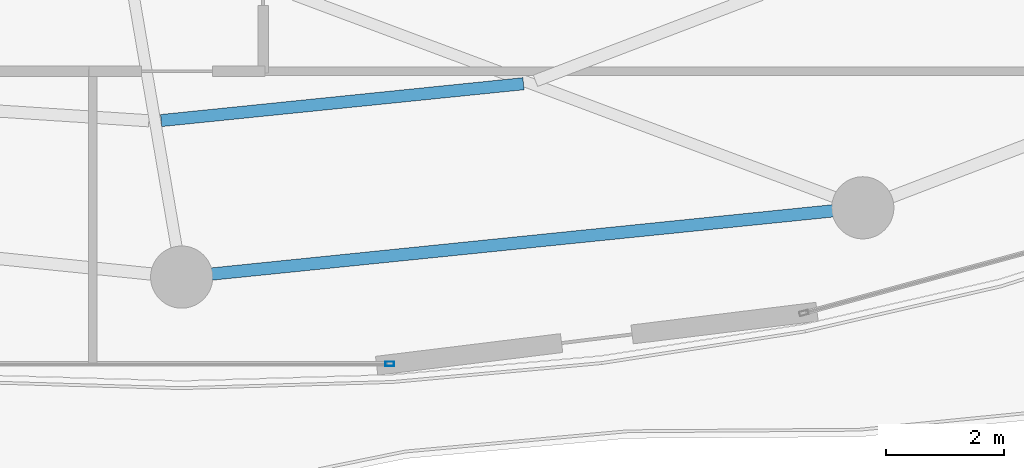
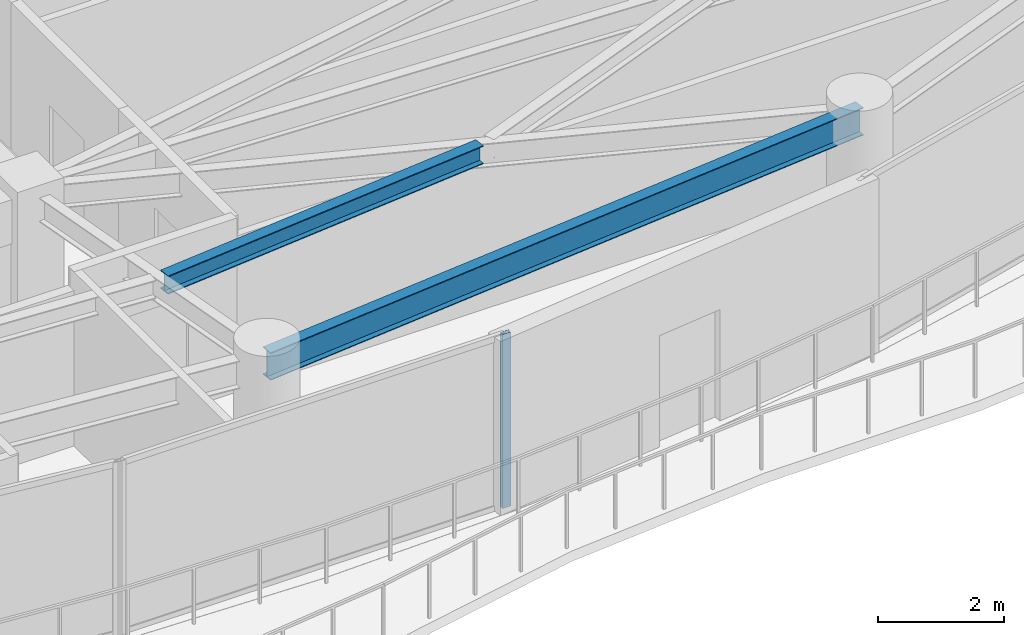
# One storey, part 10 of 31: 2 beams, 1 member, 1 element without a shape of its own.
"""IFC4 building model written with IfcOpenShell, lengths in metres."""

from ifc_helpers import new_model, si_unit, direction, frame, origin, origin_2d, place, context, subcontext, project, spatial, hollow_rectangle, i_section, extrude, material, layer, layer_set, material_profile, profile_set, type_object, element, aggregate, save


model = new_model("IFC4")

# Units and contexts
model_context = context("Model", 3, precision=1e-05, world=origin(), true_north=direction((0.0, 1.0)))
body_context = subcontext(model_context, "Body", "Model", "MODEL_VIEW")
ifc_project = project(units=[si_unit("LENGTHUNIT", "METRE"), si_unit("AREAUNIT", "SQUARE_METRE"), si_unit("VOLUMEUNIT", "CUBIC_METRE"), si_unit("PLANEANGLEUNIT", "RADIAN"), si_unit("MASSUNIT", "GRAM", prefix="KILO")], contexts=[model_context])

# Site, building, storey
site_placement = place(None, origin())
site = spatial("IfcSite", under=ifc_project, at=site_placement, CompositionType="ELEMENT")
building_placement = place(site_placement, origin())
building = spatial("IfcBuilding", under=site, at=building_placement, Name="Kazevale Care Tower and Concert Hall", CompositionType="ELEMENT")
storey_placement = place(building_placement, frame((0.0, 0.0, 210.0)))
storey = spatial("IfcBuildingStorey", under=building, at=storey_placement, Name="L55", CompositionType="ELEMENT", Elevation=210.0)

# Curtain wall, member
ifc_material_1 = material(Name="Aluminium 6063-T6 and Low-E Glass", Category="aluminium")
ifc_layer = layer(ifc_material_1, 0.179931640625)
ifc_layer_set = layer_set([ifc_layer], Name="Aluminium 6063-T6 and Low-E Glass")
curtain_wall_type = type_object("IfcCurtainWallType", Name="Sheltered Concave Balcony Curtain Wall CW-5", PredefinedType="NOTDEFINED", material=ifc_layer_set)
curtain_wall_placement = place(storey_placement, origin())
curtain_wall = element("IfcCurtainWall", 1, at=curtain_wall_placement, inside=storey, type_object=curtain_wall_type, Name="cw:L55:f06", PredefinedType="NOTDEFINED")
ifc_material_2 = material(Name="Aluminium 6063-T6", Category="aluminium")
ifc_material_profile_1 = material_profile(ifc_material_2, hollow_rectangle(XDim=0.074951171875, YDim=0.14990234375, WallThickness=0.00390625, at=origin_2d()), Name="ALU75x150x4")
ifc_profile_set_1 = profile_set([ifc_material_profile_1], Name="Aluminium 6063-T6")
member_type = type_object("IfcMemberType", Name="CW-5 Mullion ALU75x150x4", PredefinedType="MULLION", material=ifc_profile_set_1)
member_placement = place(storey_placement, frame((48.512451171875, 16.284912109375, 0.0), z_axis=(0.0, 0.0, 1.0), x_axis=(0.0, -1.0, 0.0)))
member = element("IfcMember", 2, at=member_placement, type_object=member_type, Name="CW-5 mullion 1", PredefinedType="MULLION", context=body_context, shape_type="SweptSolid", body=[
    extrude(hollow_rectangle(XDim=0.074951171875, YDim=0.14990234375, WallThickness=0.00390625, at=origin_2d()), origin(), (0.0, 0.0, 1.0), 3.360107421875),
])
aggregate(curtain_wall, [member])

# Beams
ifc_material_3 = material(Name="Steel ASTM A572 Gr 50", Category="steel")
ifc_material_profile_2 = material_profile(ifc_material_3, i_section(OverallWidth=0.205078125, OverallDepth=0.35400390625, WebThickness=0.009521484375, FlangeThickness=0.016845703125, at=origin_2d()), Name="W360x79")
ifc_profile_set_2 = profile_set([ifc_material_profile_2], Name="Steel ASTM A572 Gr 50")
beam_type_1 = type_object("IfcBeamType", Name="Secondary Floor Joist W360x79", PredefinedType="JOIST", material=ifc_profile_set_2)
beam_1_placement = place(storey_placement, frame((44.654052734375, 20.39306640625, 3.18310546875), z_axis=(0.994872697807, 0.10113513316, 0.0), x_axis=(-0.10113513316, 0.994872697807, 0.0)))
element("IfcBeam", 3, at=beam_1_placement, inside=storey, type_object=beam_type_1, Name="beam:L55:joist:13", PredefinedType="JOIST", context=body_context, shape_type="SweptSolid", body=[
    extrude(i_section(OverallWidth=0.205078125, OverallDepth=0.35400390625, WebThickness=0.009521484375, FlangeThickness=0.016845703125, at=origin_2d()), origin(), (0.0, 0.0, 1.0), 6.1484375),
])
ifc_material_profile_3 = material_profile(ifc_material_3, i_section(OverallWidth=0.208984375, OverallDepth=0.532958984375, WebThickness=0.01025390625, FlangeThickness=0.015625, at=origin_2d()), Name="W530x92")
ifc_profile_set_3 = profile_set([ifc_material_profile_3], Name="Steel ASTM A572 Gr 50")
beam_type_2 = type_object("IfcBeamType", Name="Upper Ring Beam W530x92", PredefinedType="BEAM", material=ifc_profile_set_3)
beam_2_placement = place(storey_placement, frame((45.0, 17.75, 3.093505859375), z_axis=(0.994865089307, 0.101209950492, 0.0), x_axis=(-0.101209950492, 0.994865089307, 0.0)))
element("IfcBeam", 4, at=beam_2_placement, inside=storey, type_object=beam_type_2, Name="beam:L55:ring:13", PredefinedType="BEAM", context=body_context, shape_type="SweptSolid", body=[
    extrude(i_section(OverallWidth=0.208984375, OverallDepth=0.532958984375, WebThickness=0.01025390625, FlangeThickness=0.015625, at=origin_2d()), origin(), (0.0, 0.0, 1.0), 11.559326171875),
])

save(model, "model.ifc")
